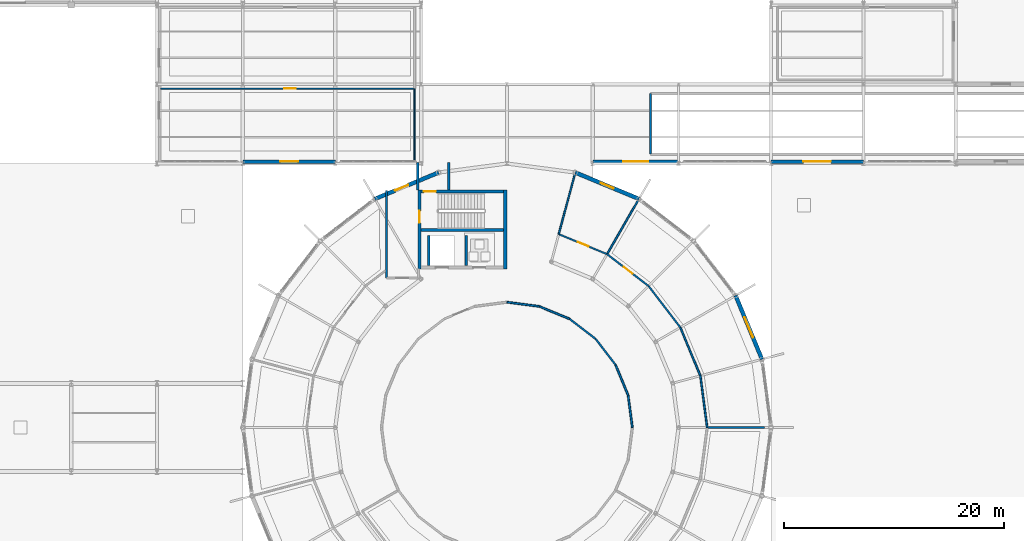
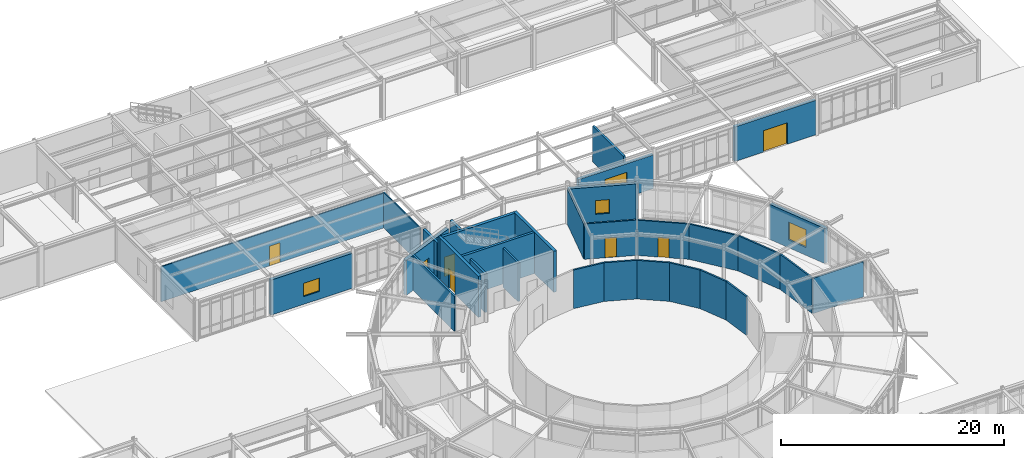
# One storey, part 85 of 101: 32 walls, 7 doors, 4 windows, 11 openings.
"""IFC4 building model written with IfcOpenShell, lengths in metres."""

from ifc_helpers import new_model, si_unit, derived_unit, direction, frame, frame_2d, origin, place, context, subcontext, project, spatial, rectangle, extrude, material, layer, layer_set, type_object, element, fill, save


model = new_model("IFC4")

# Units and contexts
model_context = context("Model", 3, precision=1e-05, world=origin(), true_north=direction((0.0, 1.0)))
body_context = subcontext(model_context, "Body", "Model", "MODEL_VIEW")
ifc_project = project(units=[si_unit("LENGTHUNIT", "METRE"), si_unit("AREAUNIT", "SQUARE_METRE"), si_unit("VOLUMEUNIT", "CUBIC_METRE"), si_unit("PLANEANGLEUNIT", "RADIAN"), si_unit("MASSUNIT", "GRAM", prefix="KILO"), derived_unit("THERMALTRANSMITTANCEUNIT", [(si_unit("POWERUNIT", "WATT"), 1), (si_unit("AREAUNIT", "SQUARE_METRE"), -1), (si_unit("THERMODYNAMICTEMPERATUREUNIT", "KELVIN"), -1)])], contexts=[model_context])

# Site, building, storey
site_placement = place(None, origin())
site = spatial("IfcSite", under=ifc_project, at=site_placement, CompositionType="ELEMENT")
building_placement = place(site_placement, origin())
building = spatial("IfcBuilding", under=site, at=building_placement, Name="Yasenodar Specialist Clinic", CompositionType="ELEMENT")
storey_placement = place(building_placement, origin())
storey = spatial("IfcBuildingStorey", under=building, at=storey_placement, Name="L00", CompositionType="ELEMENT", Elevation=0.0)

# Wall, opening, window
ifc_material_1 = material(Name="Drum Insulated Terracotta Chord Wall", Category="masonry")
ifc_layer_1 = layer(ifc_material_1, 0.364990234375)
ifc_layer_set_1 = layer_set([ifc_layer_1], Name="Drum Insulated Terracotta Chord Wall")
wall_type_1 = type_object("IfcWallType", Name="EW-DRUM-365", PredefinedType="SOLIDWALL", material=ifc_layer_set_1)
wall_1_placement = place(storey_placement, frame((101.78466796875, 70.800048828125, 0.0), z_axis=(0.0, 0.0, 1.0), x_axis=(0.382663829839, -0.9238876519, 0.0)))
wall_1 = element("IfcWall", 1, at=wall_1_placement, inside=storey, type_object=wall_type_1, Name="L00 Exterior Facade Wall 0001", PredefinedType="SOLIDWALL", context=body_context, shape_type="SweptSolid", body=[
    extrude(rectangle(XDim=6.26513671875, YDim=0.364990234375, at=frame_2d((3.132568359375, 0.0))), origin(), (0.0, 0.0, 1.0), 3.837890625),
])
opening_1_placement = place(wall_1_placement, frame((2.132568359375, 0.0, 0.85009765625)))
opening_1 = element("IfcOpeningElement", 2, at=opening_1_placement, cuts=wall_1, Name="Opening W-06", PredefinedType="OPENING", context=body_context, shape_type="SweptSolid", body=[
    extrude(rectangle(XDim=2.0, YDim=1.949951171875, at=frame_2d((1.0, 0.97509765625))), frame((0.0, 0.1923828125, 0.0), z_axis=(0.0, -1.0, 0.0), x_axis=(1.0, 0.0, 0.0)), (0.0, 0.0, 1.0), 0.385009765625),
])
ifc_material_2 = material(Name="Triple Low-E Argon Glazing in Bronze Aluminium Frame", Category="aluminium")
window_type_1 = type_object("IfcWindowType", Name="WIN-EXT-06", PartitioningType="SINGLE_PANEL", PredefinedType="WINDOW", material=ifc_material_2)
window_1_placement = place(opening_1_placement, origin())
window_1 = element("IfcWindow", 3, at=window_1_placement, inside=storey, type_object=window_type_1, Name="L00 Triple-Glazed Reveal Window 0001", OverallHeight=1.949951171875, OverallWidth=2.0, PartitioningType="SINGLE_PANEL", PredefinedType="WINDOW", context=body_context, shape_type="SweptSolid", body=[
    extrude(rectangle(XDim=2.0, YDim=1.949951171875, at=frame_2d((1.0, 0.97509765625))), frame((0.0, 0.030029296875, 0.0), z_axis=(0.0, -1.0, 0.0), x_axis=(1.0, 0.0, 0.0)), (0.0, 0.0, 1.0), 0.06005859375),
])
fill(opening_1, window_1)

wall_2_placement = place(storey_placement, frame((87.211669921875, 81.982177734375, 0.0), z_axis=(0.0, 0.0, 1.0), x_axis=(0.9238876519, -0.382663829839, 0.0)))
wall_2 = element("IfcWall", 4, at=wall_2_placement, inside=storey, type_object=wall_type_1, Name="L00 Exterior Facade Wall 0002", PredefinedType="SOLIDWALL", context=body_context, shape_type="SweptSolid", body=[
    extrude(rectangle(XDim=6.26513671875, YDim=0.364990234375, at=frame_2d((3.132568359375, 0.0))), origin(), (0.0, 0.0, 1.0), 3.837890625),
])
opening_2_placement = place(wall_2_placement, frame((2.507568359375, 0.0, 0.85009765625)))
opening_2 = element("IfcOpeningElement", 5, at=opening_2_placement, cuts=wall_2, Name="Opening W-15", PredefinedType="OPENING", context=body_context, shape_type="SweptSolid", body=[
    extrude(rectangle(XDim=1.25, YDim=1.5, at=frame_2d((0.625, 0.75))), frame((0.0, 0.1923828125, 0.0), z_axis=(0.0, -1.0, 0.0), x_axis=(1.0, 0.0, 0.0)), (0.0, 0.0, 1.0), 0.385009765625),
])
window_type_2 = type_object("IfcWindowType", Name="WIN-EXT-15", PartitioningType="SINGLE_PANEL", PredefinedType="WINDOW", material=ifc_material_2)
window_2_placement = place(opening_2_placement, origin())
window_2 = element("IfcWindow", 6, at=window_2_placement, inside=storey, type_object=window_type_2, Name="L00 Triple-Glazed Reveal Window 0002", OverallHeight=1.5, OverallWidth=1.25, PartitioningType="SINGLE_PANEL", PredefinedType="WINDOW", context=body_context, shape_type="SweptSolid", body=[
    extrude(rectangle(XDim=1.25, YDim=1.5, at=frame_2d((0.625, 0.75))), frame((0.0, 0.030029296875, 0.0), z_axis=(0.0, -1.0, 0.0), x_axis=(1.0, 0.0, 0.0)), (0.0, 0.0, 1.0), 0.06005859375),
])
fill(opening_2, window_2)

# Wall, opening, door
wall_3_placement = place(storey_placement, frame((69.0, 79.584716796875, 0.0), z_axis=(0.0, 0.0, 1.0), x_axis=(0.9238876519, 0.382663829839, 0.0)))
wall_3 = element("IfcWall", 7, at=wall_3_placement, inside=storey, type_object=wall_type_1, Name="L00 Exterior Facade Wall 0003", PredefinedType="SOLIDWALL", context=body_context, shape_type="SweptSolid", body=[
    extrude(rectangle(XDim=6.26513671875, YDim=0.364990234375, at=frame_2d((3.132568359375, 0.0))), origin(), (0.0, 0.0, 1.0), 3.837890625),
])
opening_3_placement = place(wall_3_placement, frame((1.982666015625, 0.0, 0.0)))
opening_3 = element("IfcOpeningElement", 8, at=opening_3_placement, cuts=wall_3, Name="Opening EX-01", PredefinedType="OPENING", context=body_context, shape_type="SweptSolid", body=[
    extrude(rectangle(XDim=1.300048828125, YDim=2.25, at=frame_2d((0.64990234375, 1.125))), frame((0.0, 0.1923828125, 0.0), z_axis=(0.0, -1.0, 0.0), x_axis=(1.0, 0.0, 0.0)), (0.0, 0.0, 1.0), 0.385009765625),
])
ifc_material_3 = material(Name="Thermally Broken Bronze Anodized Aluminium and Laminated Glass", Category="aluminium")
door_type_1 = type_object("IfcDoorType", Name="DR-EX-130", OperationType="NOTDEFINED", PredefinedType="DOOR", material=ifc_material_3)
door_1_placement = place(opening_3_placement, origin())
door_1 = element("IfcDoor", 9, at=door_1_placement, inside=storey, type_object=door_type_1, Name="L00 Stair ST-03 Final Exit Door EX-03", OperationType="SINGLE_SWING_LEFT", OverallHeight=2.25, OverallWidth=1.300048828125, PredefinedType="DOOR", context=body_context, shape_type="SweptSolid", body=[
    extrude(rectangle(XDim=1.300048828125, YDim=2.25, at=frame_2d((0.64990234375, 1.125))), frame((0.0, 0.02490234375, 0.0), z_axis=(0.0, -1.0, 0.0), x_axis=(1.0, 0.0, 0.0)), (0.0, 0.0, 1.0), 0.050048828125),
])
fill(opening_3, door_1)

ifc_material_4 = material(Name="Buff Architectural Terracotta Rainscreen", Category="masonry")
ifc_layer_2 = layer(ifc_material_4, 0.340087890625)
ifc_layer_set_2 = layer_set([ifc_layer_2], Name="Buff Architectural Terracotta Rainscreen")
wall_type_2 = type_object("IfcWallType", Name="EW-TERR-340", PredefinedType="SOLIDWALL", material=ifc_layer_set_2)
wall_4_placement = place(storey_placement, frame((113.39990234375, 82.969970703125, 0.0), z_axis=(0.0, 0.0, 1.0), x_axis=(-1.0, 0.0, 0.0)))
wall_4 = element("IfcWall", 10, at=wall_4_placement, inside=storey, type_object=wall_type_2, Name="L00 Exterior Facade Wall 0133", PredefinedType="SOLIDWALL", context=body_context, shape_type="SweptSolid", body=[
    extrude(rectangle(XDim=8.39990234375, YDim=0.340087890625, at=frame_2d((4.199951171875, 0.0))), origin(), (0.0, 0.0, 1.0), 3.778076171875),
])
opening_4_placement = place(wall_4_placement, frame((2.949951171875, 0.0, 0.0)))
opening_4 = element("IfcOpeningElement", 11, at=opening_4_placement, cuts=wall_4, Name="Opening GT-03", PredefinedType="OPENING", context=body_context, shape_type="SweptSolid", body=[
    extrude(rectangle(XDim=2.5, YDim=2.35009765625, at=frame_2d((1.25, 1.175048828125))), frame((0.0, 0.18017578125, 0.0), z_axis=(0.0, -1.0, 0.0), x_axis=(1.0, 0.0, 0.0)), (0.0, 0.0, 1.0), 0.360107421875),
])
door_type_2 = type_object("IfcDoorType", Name="GT-YARD-250", OperationType="DOUBLE_DOOR_SINGLE_SWING", PredefinedType="GATE", material=ifc_material_3)
door_2_placement = place(opening_4_placement, origin())
door_2 = element("IfcDoor", 12, at=door_2_placement, inside=storey, type_object=door_type_2, Name="L00 Rear Garden Ambulance Courtyard Gate GT-04", OperationType="DOUBLE_DOOR_SINGLE_SWING", OverallHeight=2.35009765625, OverallWidth=2.5, PredefinedType="GATE", context=body_context, shape_type="SweptSolid", body=[
    extrude(rectangle(XDim=2.5, YDim=2.35009765625, at=frame_2d((1.25, 1.175048828125))), frame((0.0, 0.02490234375, 0.0), z_axis=(0.0, -1.0, 0.0), x_axis=(1.0, 0.0, 0.0)), (0.0, 0.0, 1.0), 0.050048828125),
])
fill(opening_4, door_2)

# Wall, opening, window
wall_5_placement = place(storey_placement, frame((96.60009765625, 82.969970703125, 0.0), z_axis=(0.0, 0.0, 1.0), x_axis=(-1.0, 0.0, 0.0)))
wall_5 = element("IfcWall", 13, at=wall_5_placement, inside=storey, type_object=wall_type_2, Name="L00 Exterior Facade Wall 0134", PredefinedType="SOLIDWALL", context=body_context, shape_type="SweptSolid", body=[
    extrude(rectangle(XDim=7.800048828125, YDim=0.340087890625, at=frame_2d((3.89990234375, 0.0))), origin(), (0.0, 0.0, 1.0), 3.677978515625),
])
opening_5_placement = place(wall_5_placement, frame((2.75, 0.0, 0.85009765625)))
opening_5 = element("IfcOpeningElement", 14, at=opening_5_placement, cuts=wall_5, Name="Opening W-18", PredefinedType="OPENING", context=body_context, shape_type="SweptSolid", body=[
    extrude(rectangle(XDim=2.300048828125, YDim=1.89990234375, at=frame_2d((1.14990234375, 0.949951171875))), frame((0.0, 0.18017578125, 0.0), z_axis=(0.0, -1.0, 0.0), x_axis=(1.0, 0.0, 0.0)), (0.0, 0.0, 1.0), 0.360107421875),
])
window_type_3 = type_object("IfcWindowType", Name="WIN-EXT-18", PartitioningType="SINGLE_PANEL", PredefinedType="WINDOW", material=ifc_material_2)
window_3_placement = place(opening_5_placement, origin())
window_3 = element("IfcWindow", 15, at=window_3_placement, inside=storey, type_object=window_type_3, Name="L00 Triple-Glazed Reveal Window 0150", OverallHeight=1.89990234375, OverallWidth=2.300048828125, PartitioningType="SINGLE_PANEL", PredefinedType="WINDOW", context=body_context, shape_type="SweptSolid", body=[
    extrude(rectangle(XDim=2.300048828125, YDim=1.89990234375, at=frame_2d((1.14990234375, 0.949951171875))), frame((0.0, 0.030029296875, 0.0), z_axis=(0.0, -1.0, 0.0), x_axis=(1.0, 0.0, 0.0)), (0.0, 0.0, 1.0), 0.06005859375),
])
fill(opening_5, window_3)

wall_6_placement = place(storey_placement, frame((65.39990234375, 82.969970703125, 0.0), z_axis=(0.0, 0.0, 1.0), x_axis=(-1.0, 0.0, 0.0)))
wall_6 = element("IfcWall", 16, at=wall_6_placement, inside=storey, type_object=wall_type_2, Name="L00 Exterior Facade Wall 0135", PredefinedType="SOLIDWALL", context=body_context, shape_type="SweptSolid", body=[
    extrude(rectangle(XDim=8.39990234375, YDim=0.340087890625, at=frame_2d((4.199951171875, 0.0))), origin(), (0.0, 0.0, 1.0), 3.827880859375),
])
opening_6_placement = place(wall_6_placement, frame((3.375, 0.0, 0.85009765625)))
opening_6 = element("IfcOpeningElement", 17, at=opening_6_placement, cuts=wall_6, Name="Opening W-20", PredefinedType="OPENING", context=body_context, shape_type="SweptSolid", body=[
    extrude(rectangle(XDim=1.64990234375, YDim=1.449951171875, at=frame_2d((0.824951171875, 0.72509765625))), frame((0.0, 0.18017578125, 0.0), z_axis=(0.0, -1.0, 0.0), x_axis=(1.0, 0.0, 0.0)), (0.0, 0.0, 1.0), 0.360107421875),
])
window_type_4 = type_object("IfcWindowType", Name="WIN-EXT-20", PartitioningType="SINGLE_PANEL", PredefinedType="WINDOW", material=ifc_material_2)
window_4_placement = place(opening_6_placement, origin())
window_4 = element("IfcWindow", 18, at=window_4_placement, inside=storey, type_object=window_type_4, Name="L00 Triple-Glazed Reveal Window 0151", OverallHeight=1.449951171875, OverallWidth=1.64990234375, PartitioningType="SINGLE_PANEL", PredefinedType="WINDOW", context=body_context, shape_type="SweptSolid", body=[
    extrude(rectangle(XDim=1.64990234375, YDim=1.449951171875, at=frame_2d((0.824951171875, 0.72509765625))), frame((0.0, 0.030029296875, 0.0), z_axis=(0.0, -1.0, 0.0), x_axis=(1.0, 0.0, 0.0)), (0.0, 0.0, 1.0), 0.06005859375),
])
fill(opening_6, window_4)

# Wall, opening, door
ifc_material_5 = material(Name="Outpatient Examination Partition")
ifc_layer_3 = layer(ifc_material_5, 0.14990234375)
ifc_layer_set_3 = layer_set([ifc_layer_3], Name="Outpatient Examination Partition")
wall_type_3 = type_object("IfcWallType", Name="IW-CONS-150", PredefinedType="PARTITIONING", material=ifc_layer_set_3)
wall_7_placement = place(storey_placement, frame((90.081298828125, 74.5693359375, 0.0), z_axis=(0.0, 0.0, 1.0), x_axis=(-0.923873427778, 0.382698170162, 0.0)))
wall_7 = element("IfcWall", 19, at=wall_7_placement, inside=storey, type_object=wall_type_3, Name="L00 Drum Triage and Vitals Room Partition", PredefinedType="PARTITIONING", context=body_context, shape_type="SweptSolid", body=[
    extrude(rectangle(XDim=4.73095703125, YDim=0.14990234375, at=frame_2d((2.365478515625, 0.0))), origin(), (0.0, 0.0, 1.0), 3.867919921875),
])
opening_7_placement = place(wall_7_placement, frame((1.8154296875, 0.0, 0.0)))
opening_7 = element("IfcOpeningElement", 20, at=opening_7_placement, cuts=wall_7, Name="Opening D-04", PredefinedType="OPENING", context=body_context, shape_type="SweptSolid", body=[
    extrude(rectangle(XDim=1.06005859375, YDim=2.159912109375, at=frame_2d((0.530029296875, 1.080078125))), frame((0.0, 0.0849609375, 0.0), z_axis=(0.0, -1.0, 0.0), x_axis=(1.0, 0.0, 0.0)), (0.0, 0.0, 1.0), 0.169921875),
])
ifc_material_6 = material(Name="Powder-Coated Steel and Acoustic Laminate Leaf", Category="steel")
door_type_3 = type_object("IfcDoorType", Name="DR-CLN-106", OperationType="NOTDEFINED", PredefinedType="DOOR", material=ifc_material_6)
door_3_placement = place(opening_7_placement, origin())
door_3 = element("IfcDoor", 21, at=door_3_placement, inside=storey, type_object=door_type_3, Name="L00 Drum Triage and Vitals Room Door", OperationType="SINGLE_SWING_RIGHT", OverallHeight=2.159912109375, OverallWidth=1.06005859375, PredefinedType="DOOR", context=body_context, shape_type="SweptSolid", body=[
    extrude(rectangle(XDim=1.06005859375, YDim=2.159912109375, at=frame_2d((0.530029296875, 1.080078125))), frame((0.0, 0.02490234375, 0.0), z_axis=(0.0, -1.0, 0.0), x_axis=(1.0, 0.0, 0.0)), (0.0, 0.0, 1.0), 0.050048828125),
])
fill(opening_7, door_3)

# Wall
wall_8_placement = place(storey_placement, frame((85.71044921875, 76.3798828125, 0.0), z_axis=(0.0, 0.0, 1.0), x_axis=(0.258829913508, 0.965922914043, 0.0)))
element("IfcWall", 22, at=wall_8_placement, inside=storey, type_object=wall_type_3, Name="L00 Drum Triage and Vitals Room Partition", PredefinedType="PARTITIONING", context=body_context, shape_type="SweptSolid", body=[
    extrude(rectangle(XDim=5.635986328125, YDim=0.14990234375, at=frame_2d((2.81787109375, 0.0))), origin(), (0.0, 0.0, 1.0), 3.837890625),
])

# Wall, opening, door
ifc_material_7 = material(Name="Acoustic Double-Gypsum Consulting Partition")
ifc_layer_4 = layer(ifc_material_7, 0.159912109375)
ifc_layer_set_4 = layer_set([ifc_layer_4], Name="Acoustic Double-Gypsum Consulting Partition")
wall_type_4 = type_object("IfcWallType", Name="IW-CONS-160", PredefinedType="PARTITIONING", material=ifc_layer_set_4)
wall_9_placement = place(storey_placement, frame((93.869384765625, 71.669189453125, 0.0), z_axis=(0.0, 0.0, 1.0), x_axis=(-0.793322600477, 0.60880148782, 0.0)))
wall_9 = element("IfcWall", 23, at=wall_9_placement, inside=storey, type_object=wall_type_4, Name="L00 Chemotherapy Day Infusion Suite A Partition", PredefinedType="PARTITIONING", context=body_context, shape_type="SweptSolid", body=[
    extrude(rectangle(XDim=4.751220703125, YDim=0.159912109375, at=frame_2d((2.37548828125, 0.0))), origin(), (0.0, 0.0, 1.0), 3.867919921875),
])
opening_8_placement = place(wall_9_placement, frame((1.82568359375, 0.0, 0.0)))
opening_8 = element("IfcOpeningElement", 24, at=opening_8_placement, cuts=wall_9, Name="Opening D-03", PredefinedType="OPENING", context=body_context, shape_type="SweptSolid", body=[
    extrude(rectangle(XDim=1.02001953125, YDim=2.14990234375, at=frame_2d((0.510009765625, 1.074951171875))), frame((0.0, 0.08984375, 0.0), z_axis=(0.0, -1.0, 0.0), x_axis=(1.0, 0.0, 0.0)), (0.0, 0.0, 1.0), 0.179931640625),
])
door_type_4 = type_object("IfcDoorType", Name="DR-CLN-102", OperationType="NOTDEFINED", PredefinedType="DOOR", material=ifc_material_6)
door_4_placement = place(opening_8_placement, origin())
door_4 = element("IfcDoor", 25, at=door_4_placement, inside=storey, type_object=door_type_4, Name="L00 Chemotherapy Day Infusion Suite A Door", OperationType="SINGLE_SWING_LEFT", OverallHeight=2.14990234375, OverallWidth=1.02001953125, PredefinedType="DOOR", context=body_context, shape_type="SweptSolid", body=[
    extrude(rectangle(XDim=1.02001953125, YDim=2.14990234375, at=frame_2d((0.510009765625, 1.074951171875))), frame((0.0, 0.02490234375, 0.0), z_axis=(0.0, -1.0, 0.0), x_axis=(1.0, 0.0, 0.0)), (0.0, 0.0, 1.0), 0.050048828125),
])
fill(opening_8, door_4)

# Walls
wall_10_placement = place(storey_placement, frame((96.76171875, 67.89990234375, 0.0), z_axis=(0.0, 0.0, 1.0), x_axis=(-0.608769147025, 0.793347417989, 0.0)))
element("IfcWall", 26, at=wall_10_placement, inside=storey, type_object=wall_type_4, Name="L00 Chemotherapy Day Infusion Suite A Partition", PredefinedType="PARTITIONING", context=body_context, shape_type="SweptSolid", body=[
    extrude(rectangle(XDim=4.751220703125, YDim=0.159912109375, at=frame_2d((2.37548828125, 0.0))), origin(), (0.0, 0.0, 1.0), 3.867919921875),
])
for number, where, z_axis, x_axis, name in (
    (27, (99.199951171875, 58.800048828125, 0.0), (0.0, 0.0, 1.0), (-0.130520975042, 0.991445548214, 0.0), "L00 Chemotherapy Day Infusion Suite A Partition"),
    (28, (98.579833984375, 63.510498046875, 0.0), (0.0, 0.0, 1.0), (-0.382677044484, 0.923882178432, 0.0), "L00 Chemotherapy Day Infusion Suite A Partition"),
):
    element("IfcWall", number, at=place(storey_placement, frame(where, z_axis=z_axis, x_axis=x_axis)), inside=storey, type_object=wall_type_4, Name=name, PredefinedType="PARTITIONING", context=body_context, shape_type="SweptSolid", body=[
        extrude(rectangle(XDim=4.7509765625, YDim=0.159912109375, at=frame_2d((2.37548828125, 0.0))), origin(), (0.0, 0.0, 1.0), 3.867919921875),
    ])
wall_11_placement = place(storey_placement, frame((104.39990234375, 58.800048828125, 0.0), z_axis=(0.0, 0.0, 1.0), x_axis=(-1.0, 0.0, 0.0)))
element("IfcWall", 29, at=wall_11_placement, inside=storey, type_object=wall_type_4, Name="L00 Chemotherapy Day Infusion Suite A Partition", PredefinedType="PARTITIONING", context=body_context, shape_type="SweptSolid", body=[
    extrude(rectangle(XDim=5.199951171875, YDim=0.159912109375, at=frame_2d((2.60009765625, 0.0))), origin(), (0.0, 0.0, 1.0), 3.867919921875),
])
wall_12_placement = place(storey_placement, frame((90.10009765625, 74.561767578125, 0.0), z_axis=(0.0, 0.0, 1.0), x_axis=(0.500006198144, 0.866021825255, 0.0)))
element("IfcWall", 30, at=wall_12_placement, inside=storey, type_object=wall_type_4, Name="L00 Chemotherapy Day Infusion Suite A Partition", PredefinedType="PARTITIONING", context=body_context, shape_type="SweptSolid", body=[
    extrude(rectangle(XDim=5.6357421875, YDim=0.159912109375, at=frame_2d((2.81787109375, 0.0))), origin(), (0.0, 0.0, 1.0), 3.837890625),
])
ifc_material_8 = material(Name="Cleanroom Laboratory Partition")
ifc_layer_5 = layer(ifc_material_8, 0.169921875)
ifc_layer_set_5 = layer_set([ifc_layer_5], Name="Cleanroom Laboratory Partition")
wall_type_5 = type_object("IfcWallType", Name="IW-LAB-170", PredefinedType="PARTITIONING", material=ifc_layer_set_5)
for number, where, z_axis, x_axis, name in (
    (31, (89.06103515625, 66.861083984375, 0.0), (0.0, 0.0, 1.0), (0.608770758953, -0.793346181086, 0.0), "L00 Central Drum Treatment Reception Hall Partition"),
    (32, (86.699951171875, 68.672607421875, 0.0), (0.0, 0.0, 1.0), (0.793385800782, -0.608719123338, 0.0), "L00 Central Drum Treatment Reception Hall Partition"),
    (33, (90.872802734375, 64.5, 0.0), (0.0, 0.0, 1.0), (0.38269231526, -0.923875853046, 0.0), "L00 Central Drum Treatment Reception Hall Partition"),
    (34, (83.950439453125, 69.8115234375, 0.0), (0.0, 0.0, 1.0), (0.923875853046, -0.38269231526, 0.0), "L00 Central Drum Treatment Reception Hall Partition"),
):
    element("IfcWall", number, at=place(storey_placement, frame(where, z_axis=z_axis, x_axis=x_axis)), inside=storey, type_object=wall_type_5, Name=name, PredefinedType="PARTITIONING", context=body_context, shape_type="SweptSolid", body=[
        extrude(rectangle(XDim=2.97607421875, YDim=0.169921875, at=frame_2d((1.488037109375, 0.0))), origin(), (0.0, 0.0, 1.0), 4.22998046875),
    ])
for number, where, z_axis, x_axis, name in (
    (35, (81.0, 70.199951171875, 0.0), (0.0, 0.0, 1.0), (0.991445078306, -0.130524544442, 0.0), "L00 Central Drum Treatment Reception Hall Partition"),
    (36, (92.01171875, 61.75048828125, 0.0), (0.0, 0.0, 1.0), (0.130443901511, -0.991455691677, 0.0), "L00 Central Drum Treatment Reception Hall Partition"),
):
    element("IfcWall", number, at=place(storey_placement, frame(where, z_axis=z_axis, x_axis=x_axis)), inside=storey, type_object=wall_type_5, Name=name, PredefinedType="PARTITIONING", context=body_context, shape_type="SweptSolid", body=[
        extrude(rectangle(XDim=2.975830078125, YDim=0.169921875, at=frame_2d((1.48779296875, 0.0))), origin(), (0.0, 0.0, 1.0), 4.22998046875),
    ])
ifc_material_9 = material(Name="Fire-Rated Gypsum and Mineral-Wool Wall")
ifc_layer_6 = layer(ifc_material_9, 0.195068359375)
ifc_layer_set_6 = layer_set([ifc_layer_6], Name="Fire-Rated Gypsum and Mineral-Wool Wall")
wall_type_6 = type_object("IfcWallType", Name="IW-LOBBY-195", PredefinedType="PARTITIONING", material=ifc_layer_set_6)
wall_13_placement = place(storey_placement, frame((70.050048828125, 72.39990234375, 0.0), z_axis=(0.0, 0.0, 1.0), x_axis=(0.0, 1.0, 0.0)))
element("IfcWall", 37, at=wall_13_placement, inside=storey, type_object=wall_type_6, Name="L00 C3 Stair Vestibule West Wall", PredefinedType="PARTITIONING", context=body_context, shape_type="SweptSolid", body=[
    extrude(rectangle(XDim=7.9501953125, YDim=0.195068359375, at=frame_2d((3.97509765625, 0.0))), origin(), (0.0, 0.0, 1.0), 3.837890625),
])

# Wall, opening, door
ifc_material_10 = material(Name="Lightweight Counseling Partition")
ifc_layer_7 = layer(ifc_material_10, 0.114990234375)
ifc_layer_set_7 = layer_set([ifc_layer_7], Name="Lightweight Counseling Partition")
wall_type_7 = type_object("IfcWallType", Name="IW-PART-115", PredefinedType="PARTITIONING", material=ifc_layer_set_7)
wall_14_placement = place(storey_placement, frame((49.52001953125, 89.60009765625, 0.0), z_axis=(0.0, 0.0, 1.0), x_axis=(1.0, 0.0, 0.0)))
wall_14 = element("IfcWall", 38, at=wall_14_placement, inside=storey, type_object=wall_type_7, Name="L00 Surgical Day-Admission Reception Partition", PredefinedType="PARTITIONING", context=body_context, shape_type="SweptSolid", body=[
    extrude(rectangle(XDim=23.080078125, YDim=0.114990234375, at=frame_2d((11.5400390625, 0.0))), origin(), (0.0, 0.0, 1.0), 3.827880859375),
])
opening_9_placement = place(wall_14_placement, frame((11.22998046875, 0.0, 0.0)))
opening_9 = element("IfcOpeningElement", 39, at=opening_9_placement, cuts=wall_14, Name="Opening D-04", PredefinedType="OPENING", context=body_context, shape_type="SweptSolid", body=[
    extrude(rectangle(XDim=1.06005859375, YDim=2.159912109375, at=frame_2d((0.530029296875, 1.080078125))), frame((0.0, 0.0673828125, 0.0), z_axis=(0.0, -1.0, 0.0), x_axis=(1.0, 0.0, 0.0)), (0.0, 0.0, 1.0), 0.135009765625),
])
door_5_placement = place(opening_9_placement, origin())
door_5 = element("IfcDoor", 40, at=door_5_placement, inside=storey, type_object=door_type_3, Name="L00 Surgical Day-Admission Reception Door", OperationType="SINGLE_SWING_LEFT", OverallHeight=2.159912109375, OverallWidth=1.06005859375, PredefinedType="DOOR", context=body_context, shape_type="SweptSolid", body=[
    extrude(rectangle(XDim=1.06005859375, YDim=2.159912109375, at=frame_2d((0.530029296875, 1.080078125))), frame((0.0, 0.02490234375, 0.0), z_axis=(0.0, -1.0, 0.0), x_axis=(1.0, 0.0, 0.0)), (0.0, 0.0, 1.0), 0.050048828125),
])
fill(opening_9, door_5)

# Walls
wall_15_placement = place(storey_placement, frame((72.60009765625, 89.60009765625, 0.0), z_axis=(0.0, 0.0, 1.0), x_axis=(0.0, -1.0, 0.0)))
element("IfcWall", 41, at=wall_15_placement, inside=storey, type_object=wall_type_7, Name="L00 Surgical Day-Admission Reception Partition", PredefinedType="PARTITIONING", context=body_context, shape_type="SweptSolid", body=[
    extrude(rectangle(XDim=6.570068359375, YDim=0.114990234375, at=frame_2d((3.28515625, 0.0))), origin(), (0.0, 0.0, 1.0), 3.927978515625),
])
ifc_material_11 = material(Name="Protected Exit Passage Masonry Wall", Category="masonry")
ifc_layer_8 = layer(ifc_material_11, 0.239990234375)
ifc_layer_set_8 = layer_set([ifc_layer_8], Name="Protected Exit Passage Masonry Wall")
wall_type_8 = type_object("IfcWallType", Name="IW-PASS-240", PredefinedType="PARTITIONING", material=ifc_layer_set_8)
for number, where, z_axis, x_axis, name in (
    (42, (75.699951171875, 80.39990234375, 0.0), (0.0, 0.0, 1.0), (0.0, 1.0, 0.0), "L00 ST-03 Protected Exit Passage East Wall"),
    (43, (72.89990234375, 80.39990234375, 0.0), (0.0, 0.0, 1.0), (0.0, 1.0, 0.0), "L00 ST-03 Protected Exit Passage West Wall"),
):
    element("IfcWall", number, at=place(storey_placement, frame(where, z_axis=z_axis, x_axis=x_axis)), inside=storey, type_object=wall_type_8, Name=name, PredefinedType="PARTITIONING", context=body_context, shape_type="SweptSolid", body=[
        extrude(rectangle(XDim=2.5, YDim=0.239990234375, at=frame_2d((1.25, 0.0))), origin(), (0.0, 0.0, 1.0), 3.837890625),
    ])
ifc_material_12 = material(Name="Aerated Concrete Blockwork Fire Shaft Wall", Category="masonry")
ifc_layer_9 = layer(ifc_material_12, 0.205078125)
ifc_layer_set_9 = layer_set([ifc_layer_9], Name="Aerated Concrete Blockwork Fire Shaft Wall")
wall_type_9 = type_object("IfcWallType", Name="IW-SHAFT-205", PredefinedType="PARTITIONING", material=ifc_layer_set_9)
for number, where, z_axis, x_axis, name in (
    (44, (73.89990234375, 73.550048828125, 0.0), (0.0, 0.0, 1.0), (0.0, 1.0, 0.0), "L00 LF-06 Lift Shaft Side Wall"),
    (45, (77.300048828125, 73.550048828125, 0.0), (0.0, 0.0, 1.0), (0.0, 1.0, 0.0), "L00 LF-07 Lift Shaft Side Wall"),
):
    element("IfcWall", number, at=place(storey_placement, frame(where, z_axis=z_axis, x_axis=x_axis)), inside=storey, type_object=wall_type_9, Name=name, PredefinedType="PARTITIONING", context=body_context, shape_type="SweptSolid", body=[
        extrude(rectangle(XDim=2.699951171875, YDim=0.205078125, at=frame_2d((1.35009765625, 0.0))), origin(), (0.0, 0.0, 1.0), 4.22998046875),
    ])
wall_16_placement = place(storey_placement, frame((94.050048828125, 83.64990234375, 0.0), z_axis=(0.0, 0.0, 1.0), x_axis=(0.0, 1.0, 0.0)))
element("IfcWall", 46, at=wall_16_placement, inside=storey, type_object=wall_type_9, Name="L00 Ramp RMP-01 West Headwall", PredefinedType="PARTITIONING", context=body_context, shape_type="SweptSolid", body=[
    extrude(rectangle(XDim=5.5, YDim=0.205078125, at=frame_2d((2.75, 0.0))), origin(), (0.0, 0.0, 1.0), 3.927978515625),
])
ifc_material_13 = material(Name="Concrete C35/45", Category="concrete")
ifc_layer_10 = layer(ifc_material_13, 0.25)
ifc_layer_set_10 = layer_set([ifc_layer_10], Name="Concrete C35/45")
wall_type_10 = type_object("IfcWallType", Name="WL-CORE-250", PredefinedType="SHEAR", material=ifc_layer_set_10)
wall_17_placement = place(storey_placement, frame((73.199951171875, 76.75, 0.0), z_axis=(0.0, 0.0, 1.0), x_axis=(1.0, 0.0, 0.0)))
element("IfcWall", 47, at=wall_17_placement, inside=storey, type_object=wall_type_10, Name="L00 Core C3 Central Spine Wall", PredefinedType="SHEAR", context=body_context, shape_type="SweptSolid", body=[
    extrude(rectangle(XDim=7.5, YDim=0.25, at=frame_2d((3.75, 0.0))), origin(), (0.0, 0.0, 1.0), 4.5),
])

# Wall, opening, door
ifc_layer_11 = layer(ifc_material_13, 0.300048828125)
ifc_layer_set_11 = layer_set([ifc_layer_11], Name="Concrete C35/45")
wall_type_11 = type_object("IfcWallType", Name="WL-CORE-300", PredefinedType="SHEAR", material=ifc_layer_set_11)
wall_18_placement = place(storey_placement, frame((72.89990234375, 80.25, 0.0), z_axis=(0.0, 0.0, 1.0), x_axis=(1.0, 0.0, 0.0)))
wall_18 = element("IfcWall", 48, at=wall_18_placement, inside=storey, type_object=wall_type_11, Name="L00 Core C3 North Shear Wall", PredefinedType="SHEAR", context=body_context, shape_type="SweptSolid", body=[
    extrude(rectangle(XDim=8.10009765625, YDim=0.300048828125, at=frame_2d((4.050048828125, 0.0))), origin(), (0.0, 0.0, 1.0), 4.5),
])
opening_10_placement = place(wall_18_placement, frame((0.550048828125, 0.0, 0.0)))
opening_10 = element("IfcOpeningElement", 49, at=opening_10_placement, cuts=wall_18, Name="Opening FD-01", PredefinedType="OPENING", context=body_context, shape_type="SweptSolid", body=[
    extrude(rectangle(XDim=1.10009765625, YDim=2.14990234375, at=frame_2d((0.550048828125, 1.074951171875))), frame((0.0, 0.16015625, 0.0), z_axis=(0.0, -1.0, 0.0), x_axis=(1.0, 0.0, 0.0)), (0.0, 0.0, 1.0), 0.320068359375),
])
ifc_material_14 = material(Name="Fire-Rated Insulated Steel Door", Category="steel")
door_type_5 = type_object("IfcDoorType", Name="DR-FD-110", OperationType="NOTDEFINED", PredefinedType="DOOR", material=ifc_material_14)
door_6_placement = place(opening_10_placement, origin())
door_6 = element("IfcDoor", 50, at=door_6_placement, inside=storey, type_object=door_type_5, Name="L00 Stair ST-03 Exit Passage Entry Door", OperationType="SINGLE_SWING_LEFT", OverallHeight=2.14990234375, OverallWidth=1.10009765625, PredefinedType="DOOR", context=body_context, shape_type="SweptSolid", body=[
    extrude(rectangle(XDim=1.10009765625, YDim=2.14990234375, at=frame_2d((0.550048828125, 1.074951171875))), frame((0.0, 0.02490234375, 0.0), z_axis=(0.0, -1.0, 0.0), x_axis=(1.0, 0.0, 0.0)), (0.0, 0.0, 1.0), 0.050048828125),
])
fill(opening_10, door_6)

wall_19_placement = place(storey_placement, frame((73.050048828125, 73.199951171875, 0.0), z_axis=(0.0, 0.0, 1.0), x_axis=(0.0, 1.0, 0.0)))
wall_19 = element("IfcWall", 51, at=wall_19_placement, inside=storey, type_object=wall_type_11, Name="L00 Core C3 West Shear Wall", PredefinedType="SHEAR", context=body_context, shape_type="SweptSolid", body=[
    extrude(rectangle(XDim=7.199951171875, YDim=0.300048828125, at=frame_2d((3.60009765625, 0.0))), origin(), (0.0, 0.0, 1.0), 4.5),
])
opening_11_placement = place(wall_19_placement, frame((4.199951171875, 0.0, 0.0)))
opening_11 = element("IfcOpeningElement", 52, at=opening_11_placement, cuts=wall_19, Name="Opening FD-01", PredefinedType="OPENING", context=body_context, shape_type="SweptSolid", body=[
    extrude(rectangle(XDim=1.10009765625, YDim=2.14990234375, at=frame_2d((0.550048828125, 1.074951171875))), frame((0.0, 0.16015625, 0.0), z_axis=(0.0, -1.0, 0.0), x_axis=(1.0, 0.0, 0.0)), (0.0, 0.0, 1.0), 0.320068359375),
])
door_7_placement = place(opening_11_placement, origin())
door_7 = element("IfcDoor", 53, at=door_7_placement, inside=storey, type_object=door_type_5, Name="L00 ST-03 Protected Stair Door", OperationType="SINGLE_SWING_LEFT", OverallHeight=2.14990234375, OverallWidth=1.10009765625, PredefinedType="DOOR", context=body_context, shape_type="SweptSolid", body=[
    extrude(rectangle(XDim=1.10009765625, YDim=2.14990234375, at=frame_2d((0.550048828125, 1.074951171875))), frame((0.0, 0.02490234375, 0.0), z_axis=(0.0, -1.0, 0.0), x_axis=(1.0, 0.0, 0.0)), (0.0, 0.0, 1.0), 0.050048828125),
])
fill(opening_11, door_7)

# Wall
wall_20_placement = place(storey_placement, frame((80.85009765625, 73.199951171875, 0.0), z_axis=(0.0, 0.0, 1.0), x_axis=(0.0, 1.0, 0.0)))
element("IfcWall", 54, at=wall_20_placement, inside=storey, type_object=wall_type_11, Name="L00 Core C3 East Shear Wall", PredefinedType="SHEAR", context=body_context, shape_type="SweptSolid", body=[
    extrude(rectangle(XDim=7.199951171875, YDim=0.300048828125, at=frame_2d((3.60009765625, 0.0))), origin(), (0.0, 0.0, 1.0), 4.5),
])

save(model, "model.ifc")
